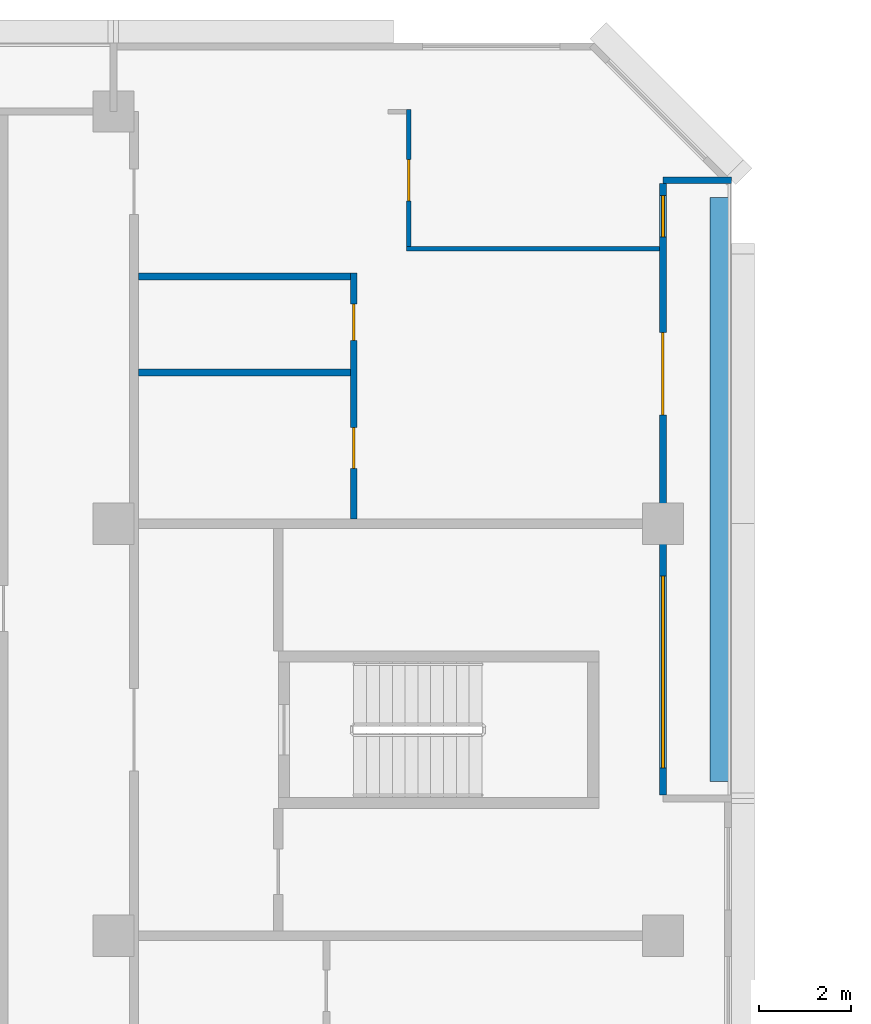
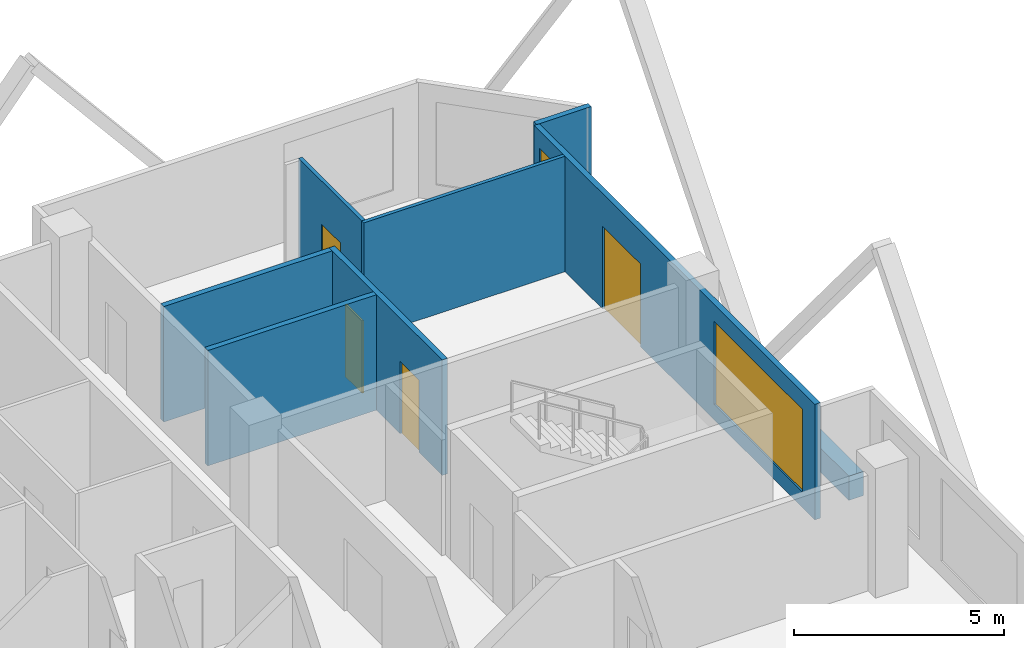
# One storey, part 11 of 15: 8 walls, 4 doors, 2 windows, 6 openings.
"""IFC4 building model written with IfcOpenShell, lengths in metres."""

from ifc_helpers import new_model, si_unit, direction, frame, frame_2d, origin, place, context, subcontext, project, spatial, rectangle, extrude, material, layer, layer_set, type_object, element, fill, save


model = new_model("IFC4")

# Units and contexts
model_context = context("Model", 3, precision=1e-05, world=origin(), true_north=direction((0.0, 1.0)))
body_context = subcontext(model_context, "Body", "Model", "MODEL_VIEW")
ifc_project = project(units=[si_unit("LENGTHUNIT", "METRE"), si_unit("AREAUNIT", "SQUARE_METRE"), si_unit("VOLUMEUNIT", "CUBIC_METRE"), si_unit("PLANEANGLEUNIT", "RADIAN"), si_unit("MASSUNIT", "GRAM", prefix="KILO")], contexts=[model_context])

# Site, building, storey
site_placement = place(None, origin())
site = spatial("IfcSite", under=ifc_project, at=site_placement, CompositionType="ELEMENT")
building_placement = place(site_placement, origin())
building = spatial("IfcBuilding", under=site, at=building_placement, Name="Chenar Terraces", CompositionType="ELEMENT")
storey_placement = place(building_placement, frame((0.0, 0.0, 187.39990234375)))
storey = spatial("IfcBuildingStorey", under=building, at=storey_placement, Name="L43", CompositionType="ELEMENT", Elevation=187.39990234375)

# Wall, openings, windows, door
ifc_material_1 = material(Name="Aluminium framed glazing", Category="aluminium")
ifc_layer_1 = layer(ifc_material_1, 0.14990234375)
ifc_layer_set_1 = layer_set([ifc_layer_1], Name="Aluminium framed glazing")
wall_type_1 = type_object("IfcWallType", Name="Glazed loggia back wall 150", PredefinedType="SOLIDWALL", material=ifc_layer_set_1)
wall_1_placement = place(storey_placement, frame((24.0, 48.074951171875, 0.0), z_axis=(0.0, 0.0, 1.0), x_axis=(0.0, 1.0, 0.0)))
wall_1 = element("IfcWall", 1, at=wall_1_placement, inside=storey, type_object=wall_type_1, Name="Glazed loggia back wall", PredefinedType="SOLIDWALL", context=body_context, shape_type="SweptSolid", body=[
    extrude(rectangle(XDim=13.35009765625, YDim=0.14990234375, at=frame_2d((6.675048828125, 0.0))), origin(), (0.0, 0.0, 1.0), 3.35009765625),
])
opening_1_placement = place(wall_1_placement, frame((0.58740234375, 0.0, 0.449951171875)))
opening_1 = element("IfcOpeningElement", 2, at=opening_1_placement, cuts=wall_1, Name="Opening W420x240", PredefinedType="OPENING", context=body_context, shape_type="SweptSolid", body=[
    extrude(rectangle(XDim=4.199951171875, YDim=2.39990234375, at=frame_2d((2.10009765625, 1.199951171875))), frame((0.0, 0.0849609375, 0.0), z_axis=(0.0, -1.0, 0.0), x_axis=(1.0, 0.0, 0.0)), (0.0, 0.0, 1.0), 0.169921875),
])
opening_2_placement = place(wall_1_placement, frame((8.300048828125, 0.0, 0.0)))
opening_2 = element("IfcOpeningElement", 3, at=opening_2_placement, cuts=wall_1, Name="Opening DL43-G2", PredefinedType="OPENING", context=body_context, shape_type="SweptSolid", body=[
    extrude(rectangle(XDim=1.800048828125, YDim=2.39990234375, at=frame_2d((0.89990234375, 1.199951171875))), frame((0.0, 0.0849609375, 0.0), z_axis=(0.0, -1.0, 0.0), x_axis=(1.0, 0.0, 0.0)), (0.0, 0.0, 1.0), 0.169921875),
])
opening_3_placement = place(wall_1_placement, frame((12.1875, 0.0, 0.449951171875)))
opening_3 = element("IfcOpeningElement", 4, at=opening_3_placement, cuts=wall_1, Name="Opening W90x240", PredefinedType="OPENING", context=body_context, shape_type="SweptSolid", body=[
    extrude(rectangle(XDim=0.89990234375, YDim=2.39990234375, at=frame_2d((0.449951171875, 1.199951171875))), frame((0.0, 0.0849609375, 0.0), z_axis=(0.0, -1.0, 0.0), x_axis=(1.0, 0.0, 0.0)), (0.0, 0.0, 1.0), 0.169921875),
])
ifc_material_2 = material(Name="Low emissivity double glazing, aluminium frame", Category="aluminium")
window_type_1 = type_object("IfcWindowType", Name="Fixed light 4200 x 2400", PartitioningType="SINGLE_PANEL", PredefinedType="WINDOW", material=ifc_material_2)
window_1_placement = place(opening_1_placement, origin())
window_1 = element("IfcWindow", 5, at=window_1_placement, inside=storey, type_object=window_type_1, Name="Window", OverallHeight=2.39990234375, OverallWidth=4.199951171875, PartitioningType="SINGLE_PANEL", PredefinedType="WINDOW", context=body_context, shape_type="SweptSolid", body=[
    extrude(rectangle(XDim=4.199951171875, YDim=2.39990234375, at=frame_2d((2.10009765625, 1.199951171875))), frame((0.0, 0.030029296875, 0.0), z_axis=(0.0, -1.0, 0.0), x_axis=(1.0, 0.0, 0.0)), (0.0, 0.0, 1.0), 0.06005859375),
])
fill(opening_1, window_1)
ifc_material_3 = material(Name="Low emissivity double glazing, aluminium frame", Category="aluminium")
window_type_2 = type_object("IfcWindowType", Name="Fixed light 900 x 2400", PartitioningType="SINGLE_PANEL", PredefinedType="WINDOW", material=ifc_material_3)
window_2_placement = place(opening_3_placement, origin())
window_2 = element("IfcWindow", 6, at=window_2_placement, inside=storey, type_object=window_type_2, Name="Window", OverallHeight=2.39990234375, OverallWidth=0.89990234375, PartitioningType="SINGLE_PANEL", PredefinedType="WINDOW", context=body_context, shape_type="SweptSolid", body=[
    extrude(rectangle(XDim=0.89990234375, YDim=2.39990234375, at=frame_2d((0.449951171875, 1.199951171875))), frame((0.0, 0.030029296875, 0.0), z_axis=(0.0, -1.0, 0.0), x_axis=(1.0, 0.0, 0.0)), (0.0, 0.0, 1.0), 0.06005859375),
])
fill(opening_3, window_2)
ifc_material_4 = material(Name="Low emissivity double glazing, aluminium frame", Category="aluminium")
door_type_1 = type_object("IfcDoorType", Name="Loggia glazed double door 1800 x 2400", OperationType="DOUBLE_DOOR_SINGLE_SWING", PredefinedType="DOOR", material=ifc_material_4)
door_1_placement = place(opening_2_placement, frame((1.800048828125, 0.0, 0.0), z_axis=(0.0, 0.0, 1.0), x_axis=(-1.0, 0.0, 0.0)))
door_1 = element("IfcDoor", 7, at=door_1_placement, inside=storey, type_object=door_type_1, Name="Loggia glazed door", OperationType="DOUBLE_DOOR_SINGLE_SWING", OverallHeight=2.39990234375, OverallWidth=1.800048828125, PredefinedType="DOOR", context=body_context, shape_type="SweptSolid", body=[
    extrude(rectangle(XDim=1.800048828125, YDim=2.39990234375, at=frame_2d((0.89990234375, 1.199951171875))), frame((0.0, 0.02490234375, 0.0), z_axis=(0.0, -1.0, 0.0), x_axis=(1.0, 0.0, 0.0)), (0.0, 0.0, 1.0), 0.050048828125),
])
fill(opening_2, door_1)

# Wall
ifc_material_5 = material(Name="Gypsum board on steel studs", Category="steel")
ifc_layer_2 = layer(ifc_material_5, 0.10009765625)
ifc_layer_set_2 = layer_set([ifc_layer_2], Name="Gypsum board on steel studs")
wall_type_2 = type_object("IfcWallType", Name="Gypsum partition 100", PredefinedType="PARTITIONING", material=ifc_layer_set_2)
wall_2_placement = place(storey_placement, frame((18.39990234375, 60.0, 0.0), z_axis=(0.0, 0.0, 1.0), x_axis=(1.0, 0.0, 0.0)))
element("IfcWall", 8, at=wall_2_placement, inside=storey, type_object=wall_type_2, Name="Partition L43-052", PredefinedType="PARTITIONING", context=body_context, shape_type="SweptSolid", body=[
    extrude(rectangle(XDim=5.526123046875, YDim=0.10009765625, at=frame_2d((2.76318359375, 0.0))), origin(), (0.0, 0.0, 1.0), 3.35009765625),
])

# Wall, opening, door
wall_3_placement = place(storey_placement, frame((18.449951171875, 60.050048828125, 0.0), z_axis=(0.0, 0.0, 1.0), x_axis=(0.0, 1.0, 0.0)))
wall_3 = element("IfcWall", 9, at=wall_3_placement, inside=storey, type_object=wall_type_2, Name="Partition L43-053", PredefinedType="PARTITIONING", context=body_context, shape_type="SweptSolid", body=[
    extrude(rectangle(XDim=3.0, YDim=0.10009765625, at=frame_2d((1.5, 0.0))), origin(), (0.0, 0.0, 1.0), 3.35009765625),
])
opening_4_placement = place(wall_3_placement, frame((1.0, 0.0, 0.0)))
opening_4 = element("IfcOpeningElement", 10, at=opening_4_placement, cuts=wall_3, Name="Opening DL43-20", PredefinedType="OPENING", context=body_context, shape_type="SweptSolid", body=[
    extrude(rectangle(XDim=0.89990234375, YDim=2.10009765625, at=frame_2d((0.449951171875, 1.050048828125))), frame((0.0, 0.06005859375, 0.0), z_axis=(0.0, -1.0, 0.0), x_axis=(1.0, 0.0, 0.0)), (0.0, 0.0, 1.0), 0.1201171875),
])
ifc_material_6 = material(Name="Veneered timber door leaf", Category="wood")
door_type_2 = type_object("IfcDoorType", Name="Door 900 x 2100", OperationType="SINGLE_SWING_LEFT", PredefinedType="DOOR", material=ifc_material_6)
door_2_placement = place(opening_4_placement, frame((0.89990234375, 0.0, 0.0), z_axis=(0.0, 0.0, 1.0), x_axis=(-1.0, 0.0, 0.0)))
door_2 = element("IfcDoor", 11, at=door_2_placement, inside=storey, type_object=door_type_2, Name="Door DL43-20", OperationType="SINGLE_SWING_RIGHT", OverallHeight=2.10009765625, OverallWidth=0.89990234375, PredefinedType="DOOR", context=body_context, shape_type="SweptSolid", body=[
    extrude(rectangle(XDim=0.89990234375, YDim=2.10009765625, at=frame_2d((0.449951171875, 1.050048828125))), frame((0.0, 0.02490234375, 0.0), z_axis=(0.0, -1.0, 0.0), x_axis=(1.0, 0.0, 0.0)), (0.0, 0.0, 1.0), 0.050048828125),
])
fill(opening_4, door_2)

# Walls
ifc_material_7 = material(Name="Terracotta cladding on insulated backing", Category="masonry")
ifc_layer_3 = layer(ifc_material_7, 0.14990234375)
ifc_layer_set_3 = layer_set([ifc_layer_3], Name="Terracotta cladding on insulated backing")
wall_type_3 = type_object("IfcWallType", Name="Loggia return wall 150", PredefinedType="SOLIDWALL", material=ifc_layer_set_3)
wall_4_placement = place(storey_placement, frame((25.5, 61.5, 0.0), z_axis=(0.0, 0.0, 1.0), x_axis=(-1.0, 0.0, 0.0)))
element("IfcWall", 12, at=wall_4_placement, inside=storey, type_object=wall_type_3, Name="Loggia return wall", PredefinedType="SOLIDWALL", context=body_context, shape_type="SweptSolid", body=[
    extrude(rectangle(XDim=1.5, YDim=0.14990234375, at=frame_2d((0.75, 0.0))), origin(), (0.0, 0.0, 1.0), 3.35009765625),
])
ifc_material_8 = material(Name="GRP planter trough")
ifc_layer_4 = layer(ifc_material_8, 0.39990234375)
ifc_layer_set_4 = layer_set([ifc_layer_4], Name="GRP planter trough")
wall_type_4 = type_object("IfcWallType", Name="Vertical greenery planter 400", PredefinedType="SOLIDWALL", material=ifc_layer_set_4)
wall_5_placement = place(storey_placement, frame((25.22900390625, 48.375, 0.0), z_axis=(0.0, 0.0, 1.0), x_axis=(0.0, 1.0, 0.0)))
element("IfcWall", 13, at=wall_5_placement, inside=storey, type_object=wall_type_4, Name="Vertical greenery planter", PredefinedType="SOLIDWALL", context=body_context, shape_type="SweptSolid", body=[
    extrude(rectangle(XDim=12.75, YDim=0.39990234375, at=frame_2d((6.375, 0.0))), origin(), (0.0, 0.0, 1.0), 0.7001953125),
])
ifc_material_9 = material(Name="Moisture-resistant gypsum board on steel studs", Category="steel")
ifc_layer_5 = layer(ifc_material_9, 0.14990234375)
ifc_layer_set_5 = layer_set([ifc_layer_5], Name="Moisture-resistant gypsum board on steel studs")
wall_type_5 = type_object("IfcWallType", Name="Wet-room partition 150", PredefinedType="PARTITIONING", material=ifc_layer_set_5)
for number, where, z_axis, x_axis, name in (
    (14, (12.550048828125, 57.300048828125, 0.0), (0.0, 0.0, 1.0), (1.0, 0.0, 0.0), "Partition L43-041"),
    (15, (12.550048828125, 59.39990234375, 0.0), (0.0, 0.0, 1.0), (1.0, 0.0, 0.0), "Partition L43-042"),
):
    element("IfcWall", number, at=place(storey_placement, frame(where, z_axis=z_axis, x_axis=x_axis)), inside=storey, type_object=wall_type_5, Name=name, PredefinedType="PARTITIONING", context=body_context, shape_type="SweptSolid", body=[
        extrude(rectangle(XDim=4.625, YDim=0.14990234375, at=frame_2d((2.3125, 0.0))), origin(), (0.0, 0.0, 1.0), 3.35009765625),
    ])

# Wall, openings, doors
wall_6_placement = place(storey_placement, frame((17.25, 54.10009765625, 0.0), z_axis=(0.0, 0.0, 1.0), x_axis=(0.0, 1.0, 0.0)))
wall_6 = element("IfcWall", 16, at=wall_6_placement, inside=storey, type_object=wall_type_5, Name="Partition L43-047", PredefinedType="PARTITIONING", context=body_context, shape_type="SweptSolid", body=[
    extrude(rectangle(XDim=5.375, YDim=0.14990234375, at=frame_2d((2.6875, 0.0))), origin(), (0.0, 0.0, 1.0), 3.35009765625),
])
opening_5_placement = place(wall_6_placement, frame((3.89990234375, 0.0, 0.0)))
opening_5 = element("IfcOpeningElement", 17, at=opening_5_placement, cuts=wall_6, Name="Opening DL43-19", PredefinedType="OPENING", context=body_context, shape_type="SweptSolid", body=[
    extrude(rectangle(XDim=0.800048828125, YDim=2.10009765625, at=frame_2d((0.39990234375, 1.050048828125))), frame((0.0, 0.0849609375, 0.0), z_axis=(0.0, -1.0, 0.0), x_axis=(1.0, 0.0, 0.0)), (0.0, 0.0, 1.0), 0.169921875),
])
opening_6_placement = place(wall_6_placement, frame((1.10009765625, 0.0, 0.0)))
opening_6 = element("IfcOpeningElement", 18, at=opening_6_placement, cuts=wall_6, Name="Opening DL43-21", PredefinedType="OPENING", context=body_context, shape_type="SweptSolid", body=[
    extrude(rectangle(XDim=0.89990234375, YDim=2.10009765625, at=frame_2d((0.449951171875, 1.050048828125))), frame((0.0, 0.0849609375, 0.0), z_axis=(0.0, -1.0, 0.0), x_axis=(1.0, 0.0, 0.0)), (0.0, 0.0, 1.0), 0.169921875),
])
ifc_material_10 = material(Name="Veneered timber door leaf", Category="wood")
door_type_3 = type_object("IfcDoorType", Name="Door 800 x 2100", OperationType="SINGLE_SWING_LEFT", PredefinedType="DOOR", material=ifc_material_10)
door_3_placement = place(opening_5_placement, origin())
door_3 = element("IfcDoor", 19, at=door_3_placement, inside=storey, type_object=door_type_3, Name="Door DL43-19", OperationType="SINGLE_SWING_RIGHT", OverallHeight=2.10009765625, OverallWidth=0.800048828125, PredefinedType="DOOR", context=body_context, shape_type="SweptSolid", body=[
    extrude(rectangle(XDim=0.800048828125, YDim=2.10009765625, at=frame_2d((0.39990234375, 1.050048828125))), frame((0.0, 0.02490234375, 0.0), z_axis=(0.0, -1.0, 0.0), x_axis=(1.0, 0.0, 0.0)), (0.0, 0.0, 1.0), 0.050048828125),
])
fill(opening_5, door_3)
door_4_placement = place(opening_6_placement, origin())
door_4 = element("IfcDoor", 20, at=door_4_placement, inside=storey, type_object=door_type_2, Name="Door DL43-21", OperationType="SINGLE_SWING_LEFT", OverallHeight=2.10009765625, OverallWidth=0.89990234375, PredefinedType="DOOR", context=body_context, shape_type="SweptSolid", body=[
    extrude(rectangle(XDim=0.89990234375, YDim=2.10009765625, at=frame_2d((0.449951171875, 1.050048828125))), frame((0.0, 0.02490234375, 0.0), z_axis=(0.0, -1.0, 0.0), x_axis=(1.0, 0.0, 0.0)), (0.0, 0.0, 1.0), 0.050048828125),
])
fill(opening_6, door_4)

save(model, "model.ifc")
